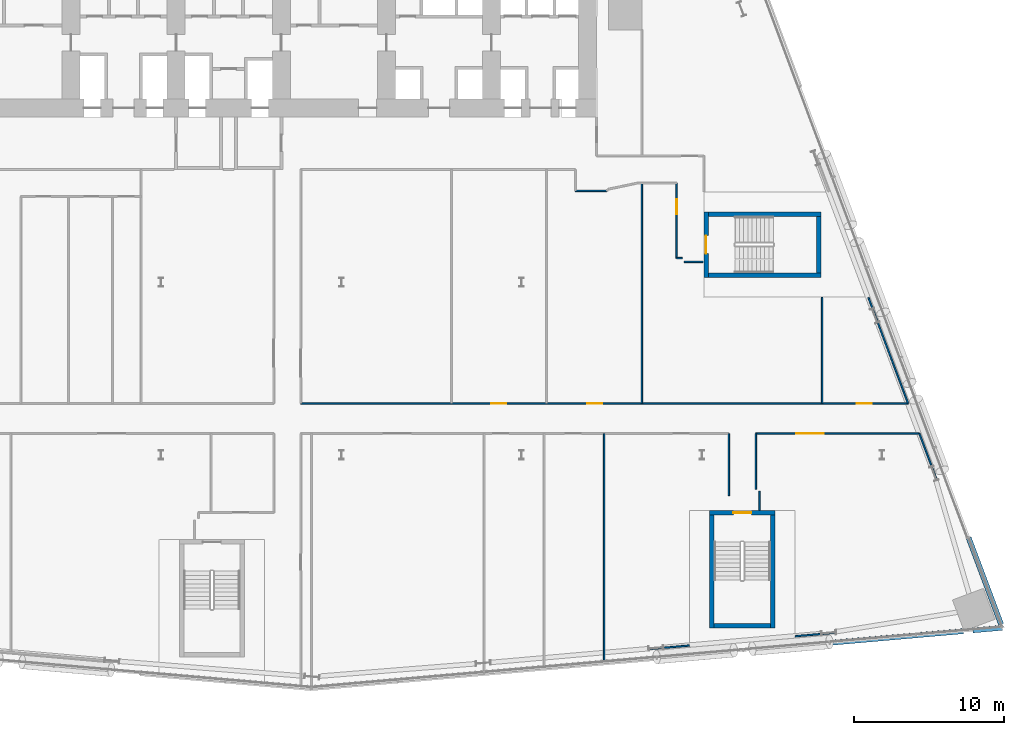
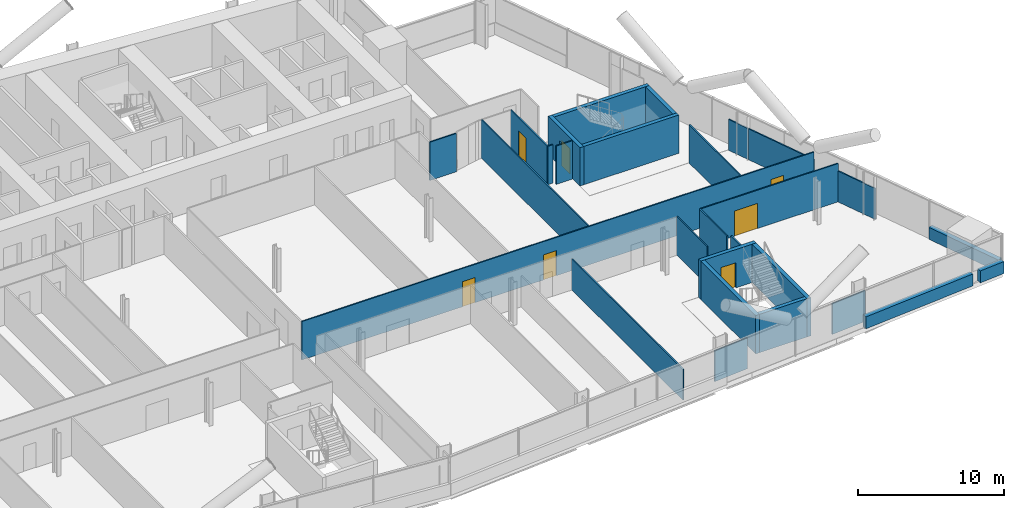
# One storey, part 18 of 27: 28 walls, 7 doors, 7 openings.
"""IFC4 building model written with IfcOpenShell, lengths in metres."""

from ifc_helpers import new_model, si_unit, direction, frame, frame_2d, origin, place, context, subcontext, project, spatial, rectangle, extrude, material, layer, layer_set, type_object, element, fill, save


model = new_model("IFC4")

# Units and contexts
model_context = context("Model", 3, precision=1e-05, world=origin(), true_north=direction((0.0, 1.0)))
body_context = subcontext(model_context, "Body", "Model", "MODEL_VIEW")
ifc_project = project(units=[si_unit("LENGTHUNIT", "METRE"), si_unit("AREAUNIT", "SQUARE_METRE"), si_unit("VOLUMEUNIT", "CUBIC_METRE"), si_unit("PLANEANGLEUNIT", "RADIAN"), si_unit("MASSUNIT", "GRAM", prefix="KILO")], contexts=[model_context])

# Site, building, storey
site_placement = place(None, origin())
site = spatial("IfcSite", under=ifc_project, at=site_placement, CompositionType="ELEMENT")
building_placement = place(site_placement, origin())
building = spatial("IfcBuilding", under=site, at=building_placement, Name="Wharfspan Tower", CompositionType="ELEMENT")
storey_placement = place(building_placement, frame((0.0, 0.0, 84.699951)))
storey = spatial("IfcBuildingStorey", under=building, at=storey_placement, Name="L18", CompositionType="ELEMENT", Elevation=84.699951)

# Wall, openings, doors
ifc_material_1 = material(Name="Gypsum board on steel studs", Category="steel")
ifc_layer_1 = layer(ifc_material_1, 0.100098)
ifc_layer_set_1 = layer_set([ifc_layer_1], Name="Gypsum board on steel studs")
wall_type_1 = type_object("IfcWallType", Name="Compartment wall 100 EI 60", PredefinedType="PARTITIONING", material=ifc_layer_set_1)
wall_1_placement = place(storey_placement, frame((45.300049, 14.929932, 0.0), z_axis=(0.0, 0.0, 1.0), x_axis=(1.0, 0.0, 0.0)))
wall_1 = element("IfcWall", 1, at=wall_1_placement, inside=storey, type_object=wall_type_1, Name="Partition L18.w034", PredefinedType="PARTITIONING", context=body_context, shape_type="SweptSolid", body=[
    extrude(rectangle(XDim=40.429932, YDim=0.100098, at=frame_2d((20.214844, 0.0))), origin(), (0.0, 0.0, 1.0), 3.199951),
])
opening_1_placement = place(wall_1_placement, frame((12.665039, 0.0, 0.0)))
opening_1 = element("IfcOpeningElement", 2, at=opening_1_placement, cuts=wall_1, Name="Opening A5-15", PredefinedType="OPENING", context=body_context, shape_type="SweptSolid", body=[
    extrude(rectangle(XDim=1.0, YDim=2.100098, at=frame_2d((0.5, 1.050049))), frame((0.0, 0.060059, 0.0), z_axis=(0.0, -1.0, 0.0), x_axis=(1.0, 0.0, 0.0)), (0.0, 0.0, 1.0), 0.120117),
])
opening_2_placement = place(wall_1_placement, frame((19.080078, 0.0, 0.0)))
opening_2 = element("IfcOpeningElement", 3, at=opening_2_placement, cuts=wall_1, Name="Opening A5-16", PredefinedType="OPENING", context=body_context, shape_type="SweptSolid", body=[
    extrude(rectangle(XDim=1.0, YDim=2.100098, at=frame_2d((0.5, 1.050049))), frame((0.0, 0.060059, 0.0), z_axis=(0.0, -1.0, 0.0), x_axis=(1.0, 0.0, 0.0)), (0.0, 0.0, 1.0), 0.120117),
])
opening_3_placement = place(wall_1_placement, frame((37.015381, 0.0, 0.0)))
opening_3 = element("IfcOpeningElement", 4, at=opening_3_placement, cuts=wall_1, Name="Opening A5-17", PredefinedType="OPENING", context=body_context, shape_type="SweptSolid", body=[
    extrude(rectangle(XDim=1.0, YDim=2.100098, at=frame_2d((0.5, 1.050049))), frame((0.0, 0.060059, 0.0), z_axis=(0.0, -1.0, 0.0), x_axis=(1.0, 0.0, 0.0)), (0.0, 0.0, 1.0), 0.120117),
])
ifc_material_2 = material(Name="Fire-rated timber door leaf in steel frame", Category="steel")
door_type_1 = type_object("IfcDoorType", Name="Door 1000 FD30S Left", OperationType="SINGLE_SWING_LEFT", PredefinedType="DOOR", material=ifc_material_2)
door_1_placement = place(opening_1_placement, origin())
door_1 = element("IfcDoor", 5, at=door_1_placement, inside=storey, type_object=door_type_1, Name="Door A5-15", OperationType="SINGLE_SWING_LEFT", OverallHeight=2.100098, OverallWidth=1.0, PredefinedType="DOOR", context=body_context, shape_type="SweptSolid", body=[
    extrude(rectangle(XDim=1.0, YDim=2.100098, at=frame_2d((0.5, 1.050049))), frame((0.0, 0.024902, 0.0), z_axis=(0.0, -1.0, 0.0), x_axis=(1.0, 0.0, 0.0)), (0.0, 0.0, 1.0), 0.050049),
])
fill(opening_1, door_1)
door_2_placement = place(opening_2_placement, origin())
door_2 = element("IfcDoor", 6, at=door_2_placement, inside=storey, type_object=door_type_1, Name="Door A5-16", OperationType="SINGLE_SWING_LEFT", OverallHeight=2.100098, OverallWidth=1.0, PredefinedType="DOOR", context=body_context, shape_type="SweptSolid", body=[
    extrude(rectangle(XDim=1.0, YDim=2.100098, at=frame_2d((0.5, 1.050049))), frame((0.0, 0.024902, 0.0), z_axis=(0.0, -1.0, 0.0), x_axis=(1.0, 0.0, 0.0)), (0.0, 0.0, 1.0), 0.050049),
])
fill(opening_2, door_2)
door_type_2 = type_object("IfcDoorType", Name="Door 1000 FD30S Right", OperationType="SINGLE_SWING_RIGHT", PredefinedType="DOOR", material=ifc_material_2)
door_3_placement = place(opening_3_placement, origin())
door_3 = element("IfcDoor", 7, at=door_3_placement, inside=storey, type_object=door_type_2, Name="Door A5-17", OperationType="SINGLE_SWING_RIGHT", OverallHeight=2.100098, OverallWidth=1.0, PredefinedType="DOOR", context=body_context, shape_type="SweptSolid", body=[
    extrude(rectangle(XDim=1.0, YDim=2.100098, at=frame_2d((0.5, 1.050049))), frame((0.0, 0.024902, 0.0), z_axis=(0.0, -1.0, 0.0), x_axis=(1.0, 0.0, 0.0)), (0.0, 0.0, 1.0), 0.050049),
])
fill(opening_3, door_3)

# Walls
wall_2_placement = place(storey_placement, frame((63.574951, 29.074951, 0.0), z_axis=(0.0, 0.0, 1.0), x_axis=(1.0, 0.0, 0.0)))
element("IfcWall", 8, at=wall_2_placement, inside=storey, type_object=wall_type_1, Name="Partition L18.w042", PredefinedType="PARTITIONING", context=body_context, shape_type="SweptSolid", body=[
    extrude(rectangle(XDim=2.080078, YDim=0.100098, at=frame_2d((1.040039, 0.0))), origin(), (0.0, 0.0, 1.0), 3.199951),
])
wall_3_placement = place(storey_placement, frame((65.5, -2.29834, 0.0), z_axis=(0.0, 0.0, 1.0), x_axis=(0.0, 1.0, 0.0)))
element("IfcWall", 9, at=wall_3_placement, inside=storey, type_object=wall_type_1, Name="Partition L18.w045", PredefinedType="PARTITIONING", context=body_context, shape_type="SweptSolid", body=[
    extrude(rectangle(XDim=15.223389, YDim=0.100098, at=frame_2d((7.611816, 0.0))), origin(), (0.0, 0.0, 1.0), 2.580078),
])
wall_4_placement = place(storey_placement, frame((68.0, 14.929932, 0.0), z_axis=(0.0, 0.0, 1.0), x_axis=(0.0, 1.0, 0.0)))
element("IfcWall", 10, at=wall_4_placement, inside=storey, type_object=wall_type_1, Name="Partition L18.w051", PredefinedType="PARTITIONING", context=body_context, shape_type="SweptSolid", body=[
    extrude(rectangle(XDim=14.670166, YDim=0.100098, at=frame_2d((7.334961, 0.0))), origin(), (0.0, 0.0, 1.0), 3.199951),
])

# Wall, opening, door
wall_5_placement = place(storey_placement, frame((70.324951, 24.600098, 0.0), z_axis=(0.0, 0.0, 1.0), x_axis=(0.0, 1.0, 0.0)))
wall_5 = element("IfcWall", 11, at=wall_5_placement, inside=storey, type_object=wall_type_1, Name="Partition L18.w054", PredefinedType="PARTITIONING", context=body_context, shape_type="SweptSolid", body=[
    extrude(rectangle(XDim=5.0, YDim=0.100098, at=frame_2d((2.5, 0.0))), origin(), (0.0, 0.0, 1.0), 3.199951),
])
opening_4_placement = place(wall_5_placement, frame((2.905029, 0.0, 0.0)))
opening_4 = element("IfcOpeningElement", 12, at=opening_4_placement, cuts=wall_5, Name="Opening A5-21", PredefinedType="OPENING", context=body_context, shape_type="SweptSolid", body=[
    extrude(rectangle(XDim=1.0, YDim=2.100098, at=frame_2d((0.5, 1.050049))), frame((0.0, 0.060059, 0.0), z_axis=(0.0, -1.0, 0.0), x_axis=(1.0, 0.0, 0.0)), (0.0, 0.0, 1.0), 0.120117),
])
door_4_placement = place(opening_4_placement, origin())
door_4 = element("IfcDoor", 13, at=door_4_placement, inside=storey, type_object=door_type_2, Name="Door A5-21", OperationType="SINGLE_SWING_RIGHT", OverallHeight=2.100098, OverallWidth=1.0, PredefinedType="DOOR", context=body_context, shape_type="SweptSolid", body=[
    extrude(rectangle(XDim=1.0, YDim=2.100098, at=frame_2d((0.5, 1.050049))), frame((0.0, 0.024902, 0.0), z_axis=(0.0, -1.0, 0.0), x_axis=(1.0, 0.0, 0.0)), (0.0, 0.0, 1.0), 0.050049),
])
fill(opening_4, door_4)

# Walls
wall_6_placement = place(storey_placement, frame((70.324951, 24.600098, 0.0), z_axis=(0.0, 0.0, 1.0), x_axis=(1.0, 0.0, 0.0)))
element("IfcWall", 14, at=wall_6_placement, inside=storey, type_object=wall_type_1, Name="Partition L18.w055", PredefinedType="PARTITIONING", context=body_context, shape_type="SweptSolid", body=[
    extrude(rectangle(XDim=0.380127, YDim=0.100098, at=frame_2d((0.189941, 0.0))), origin(), (0.0, 0.0, 1.0), 3.199951),
])
wall_7_placement = place(storey_placement, frame((70.824951, 24.350098, 0.0), z_axis=(0.0, 0.0, 1.0), x_axis=(1.0, 0.0, 0.0)))
element("IfcWall", 15, at=wall_7_placement, inside=storey, type_object=wall_type_1, Name="Partition L18.w056", PredefinedType="PARTITIONING", context=body_context, shape_type="SweptSolid", body=[
    extrude(rectangle(XDim=1.280029, YDim=0.100098, at=frame_2d((0.640137, 0.0))), origin(), (0.0, 0.0, 1.0), 3.199951),
])
wall_8_placement = place(storey_placement, frame((73.790039, 8.791992, 0.0), z_axis=(0.0, 0.0, 1.0), x_axis=(0.0, 1.0, 0.0)))
element("IfcWall", 16, at=wall_8_placement, inside=storey, type_object=wall_type_1, Name="Partition L18.w058", PredefinedType="PARTITIONING", context=body_context, shape_type="SweptSolid", body=[
    extrude(rectangle(XDim=4.133057, YDim=0.100098, at=frame_2d((2.066406, 0.0))), origin(), (0.0, 0.0, 1.0), 3.199951),
])
wall_9_placement = place(storey_placement, frame((75.594971, 9.209961, 0.0), z_axis=(0.0, 0.0, 1.0), x_axis=(0.0, 1.0, 0.0)))
element("IfcWall", 17, at=wall_9_placement, inside=storey, type_object=wall_type_1, Name="Partition L18.w059", PredefinedType="PARTITIONING", context=body_context, shape_type="SweptSolid", body=[
    extrude(rectangle(XDim=3.715088, YDim=0.100098, at=frame_2d((1.857422, 0.0))), origin(), (0.0, 0.0, 1.0), 3.199951),
])

# Wall, opening, door
wall_10_placement = place(storey_placement, frame((75.594971, 12.925049, 0.0), z_axis=(0.0, 0.0, 1.0), x_axis=(1.0, 0.0, 0.0)))
wall_10 = element("IfcWall", 18, at=wall_10_placement, inside=storey, type_object=wall_type_1, Name="Partition L18.w060", PredefinedType="PARTITIONING", context=body_context, shape_type="SweptSolid", body=[
    extrude(rectangle(XDim=10.88501, YDim=0.100098, at=frame_2d((5.442383, 0.0))), origin(), (0.0, 0.0, 1.0), 3.199951),
])
opening_5_placement = place(wall_10_placement, frame((2.702393, 0.0, 0.0)))
opening_5 = element("IfcOpeningElement", 19, at=opening_5_placement, cuts=wall_10, Name="Opening A5-11", PredefinedType="OPENING", context=body_context, shape_type="SweptSolid", body=[
    extrude(rectangle(XDim=1.800049, YDim=2.100098, at=frame_2d((0.899902, 1.050049))), frame((0.0, 0.060059, 0.0), z_axis=(0.0, -1.0, 0.0), x_axis=(1.0, 0.0, 0.0)), (0.0, 0.0, 1.0), 0.120117),
])
door_type_3 = type_object("IfcDoorType", Name="Door 1800 FD30S Double", OperationType="DOUBLE_DOOR_SINGLE_SWING", PredefinedType="DOOR", material=ifc_material_2)
door_5_placement = place(opening_5_placement, origin())
door_5 = element("IfcDoor", 20, at=door_5_placement, inside=storey, type_object=door_type_3, Name="Door A5-11", OperationType="DOUBLE_DOOR_SINGLE_SWING", OverallHeight=2.100098, OverallWidth=1.800049, PredefinedType="DOOR", context=body_context, shape_type="SweptSolid", body=[
    extrude(rectangle(XDim=1.800049, YDim=2.100098, at=frame_2d((0.899902, 1.050049))), frame((0.0, 0.024902, 0.0), z_axis=(0.0, -1.0, 0.0), x_axis=(1.0, 0.0, 0.0)), (0.0, 0.0, 1.0), 0.050049),
])
fill(opening_5, door_5)

# Walls
wall_11_placement = place(storey_placement, frame((75.844971, 7.812012, 0.0), z_axis=(0.0, 0.0, 1.0), x_axis=(0.0, 1.0, 0.0)))
element("IfcWall", 21, at=wall_11_placement, inside=storey, type_object=wall_type_1, Name="Partition L18.w061", PredefinedType="PARTITIONING", context=body_context, shape_type="SweptSolid", body=[
    extrude(rectangle(XDim=1.278076, YDim=0.100098, at=frame_2d((0.63916, 0.0))), origin(), (0.0, 0.0, 1.0), 3.199951),
])
wall_12_placement = place(storey_placement, frame((80.0, 14.929932, 0.0), z_axis=(0.0, 0.0, 1.0), x_axis=(0.0, 1.0, 0.0)))
element("IfcWall", 22, at=wall_12_placement, inside=storey, type_object=wall_type_1, Name="Partition L18.w063", PredefinedType="PARTITIONING", context=body_context, shape_type="SweptSolid", body=[
    extrude(rectangle(XDim=7.050049, YDim=0.100098, at=frame_2d((3.524902, 0.0))), origin(), (0.0, 0.0, 1.0), 3.199951),
])
wall_13_placement = place(storey_placement, frame((85.72998, 14.929932, 0.0), z_axis=(0.0, 0.0, 1.0), x_axis=(-0.351501, 0.936189, 0.0)))
element("IfcWall", 23, at=wall_13_placement, inside=storey, type_object=wall_type_1, Name="Partition L18.w066", PredefinedType="PARTITIONING", context=body_context, shape_type="SweptSolid", body=[
    extrude(rectangle(XDim=5.746826, YDim=0.100098, at=frame_2d((2.873535, 0.0))), origin(), (0.0, 0.0, 1.0), 2.580078),
])
wall_14_placement = place(storey_placement, frame((87.649902, 9.810059, 0.0), z_axis=(0.0, 0.0, 1.0), x_axis=(-0.351597, 0.936149, 0.0)))
element("IfcWall", 24, at=wall_14_placement, inside=storey, type_object=wall_type_1, Name="Partition L18.w067", PredefinedType="PARTITIONING", context=body_context, shape_type="SweptSolid", body=[
    extrude(rectangle(XDim=3.327393, YDim=0.100098, at=frame_2d((1.663574, 0.0))), origin(), (0.0, 0.0, 1.0), 2.580078),
])
ifc_layer_2 = layer(ifc_material_1, 0.100098)
ifc_layer_set_2 = layer_set([ifc_layer_2], Name="Gypsum board on steel studs")
wall_type_2 = type_object("IfcWallType", Name="Partition 100", PredefinedType="PARTITIONING", material=ifc_layer_set_2)
wall_15_placement = place(storey_placement, frame((68.445068, -1.429932, 0.0), z_axis=(0.0, 0.0, 1.0), x_axis=(0.996195, 0.087118, 0.0)))
element("IfcWall", 25, at=wall_15_placement, inside=storey, type_object=wall_type_2, Name="Partition L18.w053", PredefinedType="PARTITIONING", context=body_context, shape_type="SweptSolid", body=[
    extrude(rectangle(XDim=2.738037, YDim=0.100098, at=frame_2d((1.369141, 0.0))), origin(), (0.0, 0.0, 1.0), 2.580078),
])
wall_16_placement = place(storey_placement, frame((78.212402, -0.572998, 0.0), z_axis=(0.0, 0.0, 1.0), x_axis=(0.996224, 0.086779, 0.0)))
element("IfcWall", 26, at=wall_16_placement, inside=storey, type_object=wall_type_2, Name="Partition L18.w062", PredefinedType="PARTITIONING", context=body_context, shape_type="SweptSolid", body=[
    extrude(rectangle(XDim=2.74292, YDim=0.100098, at=frame_2d((1.371582, 0.0))), origin(), (0.0, 0.0, 1.0), 2.580078),
])
wall_17_placement = place(storey_placement, frame((83.709961, 20.310059, 0.0), z_axis=(0.0, 0.0, 1.0), x_axis=(-0.349322, 0.937005, 0.0)))
element("IfcWall", 27, at=wall_17_placement, inside=storey, type_object=wall_type_2, Name="Partition L18.w065", PredefinedType="PARTITIONING", context=body_context, shape_type="SweptSolid", body=[
    extrude(rectangle(XDim=1.782227, YDim=0.100098, at=frame_2d((0.891113, 0.0))), origin(), (0.0, 0.0, 1.0), 2.580078),
])
ifc_material_3 = material(Name="Concrete C40/50", Category="concrete")
ifc_layer_3 = layer(ifc_material_3, 0.350098)
ifc_layer_set_3 = layer_set([ifc_layer_3], Name="Concrete C40/50")
wall_type_3 = type_object("IfcWallType", Name="SPANDREL EXPOSED CONCRETE 350", PredefinedType="SOLIDWALL", material=ifc_layer_set_3)
wall_18_placement = place(storey_placement, frame((80.530273, -1.008545, 0.0), z_axis=(0.0, 0.0, 1.0), x_axis=(0.996198, 0.087169, 0.0)))
element("IfcWall", 28, at=wall_18_placement, inside=storey, type_object=wall_type_3, Name="Spandrel upstand L18 S2 2", PredefinedType="SOLIDWALL", context=body_context, shape_type="SweptSolid", body=[
    extrude(rectangle(XDim=8.912109, YDim=0.350098, at=frame_2d((4.456055, 0.0))), origin(), (0.0, 0.0, 1.0), 1.0),
])
wall_19_placement = place(storey_placement, frame((90.039062, -0.176514, 0.0), z_axis=(0.0, 0.0, 1.0), x_axis=(0.996193, 0.08717, 0.0)))
element("IfcWall", 29, at=wall_19_placement, inside=storey, type_object=wall_type_3, Name="Spandrel upstand L18 S2 3", PredefinedType="SOLIDWALL", context=body_context, shape_type="SweptSolid", body=[
    extrude(rectangle(XDim=1.968994, YDim=0.350098, at=frame_2d((0.984375, 0.0))), origin(), (0.0, 0.0, 1.0), 1.0),
])
wall_20_placement = place(storey_placement, frame((91.926025, 0.211182, 0.0), z_axis=(0.0, 0.0, 1.0), x_axis=(-0.351118, 0.936328, 0.0)))
element("IfcWall", 30, at=wall_20_placement, inside=storey, type_object=wall_type_3, Name="Spandrel upstand L18 E 1", PredefinedType="SOLIDWALL", context=body_context, shape_type="SweptSolid", body=[
    extrude(rectangle(XDim=6.154297, YDim=0.350098, at=frame_2d((3.077148, 0.0))), origin(), (0.0, 0.0, 1.0), 1.0),
])

# Wall, opening, door
ifc_layer_4 = layer(ifc_material_3, 0.300049)
ifc_layer_set_4 = layer_set([ifc_layer_4], Name="Concrete C40/50")
wall_type_4 = type_object("IfcWallType", Name="Stair core wall 300", PredefinedType="SHEAR", material=ifc_layer_set_4)
wall_21_placement = place(storey_placement, frame((72.517578, 7.64209, 0.0), z_axis=(0.0, 0.0, 1.0), x_axis=(1.0, 0.0, 0.0)))
wall_21 = element("IfcWall", 31, at=wall_21_placement, inside=storey, type_object=wall_type_4, Name="ST5 stair enclosure wall L18", PredefinedType="SHEAR", context=body_context, shape_type="SweptSolid", body=[
    extrude(rectangle(XDim=4.349854, YDim=0.300049, at=frame_2d((2.174805, 0.0))), origin(), (0.0, 0.0, 1.0), 3.199951),
])
opening_6_placement = place(wall_21_placement, frame((1.574951, 0.0, 0.0)))
opening_6 = element("IfcOpeningElement", 32, at=opening_6_placement, cuts=wall_21, Name="Opening SD5.L18", PredefinedType="OPENING", context=body_context, shape_type="SweptSolid", body=[
    extrude(rectangle(XDim=1.199951, YDim=2.100098, at=frame_2d((0.600098, 1.050049))), frame((0.0, 0.159912, 0.0), z_axis=(0.0, -1.0, 0.0), x_axis=(1.0, 0.0, 0.0)), (0.0, 0.0, 1.0), 0.320068),
])
ifc_material_4 = material(Name="Steel door leaf", Category="steel")
door_type_4 = type_object("IfcDoorType", Name="Stair door 1200x2100", OperationType="SINGLE_SWING_LEFT", PredefinedType="DOOR", material=ifc_material_4)
door_6_placement = place(opening_6_placement, origin())
door_6 = element("IfcDoor", 33, at=door_6_placement, inside=storey, type_object=door_type_4, Name="sd:L18:ST5z1", OperationType="SINGLE_SWING_RIGHT", OverallHeight=2.100098, OverallWidth=1.199951, PredefinedType="DOOR", context=body_context, shape_type="SweptSolid", body=[
    extrude(rectangle(XDim=1.199951, YDim=2.100098, at=frame_2d((0.600098, 1.050049))), frame((0.0, 0.024902, 0.0), z_axis=(0.0, -1.0, 0.0), x_axis=(1.0, 0.0, 0.0)), (0.0, 0.0, 1.0), 0.050049),
])
fill(opening_6, door_6)

wall_22_placement = place(storey_placement, frame((72.274902, 23.324951, 0.0), z_axis=(0.0, 0.0, 1.0), x_axis=(0.0, 1.0, 0.0)))
wall_22 = element("IfcWall", 34, at=wall_22_placement, inside=storey, type_object=wall_type_4, Name="ST6 stair enclosure wall L18", PredefinedType="SHEAR", context=body_context, shape_type="SweptSolid", body=[
    extrude(rectangle(XDim=4.350098, YDim=0.300049, at=frame_2d((2.175049, 0.0))), origin(), (0.0, 0.0, 1.0), 3.199951),
])
opening_7_placement = place(wall_22_placement, frame((1.574951, 0.0, 0.0)))
opening_7 = element("IfcOpeningElement", 35, at=opening_7_placement, cuts=wall_22, Name="Opening SD6.L18", PredefinedType="OPENING", context=body_context, shape_type="SweptSolid", body=[
    extrude(rectangle(XDim=1.199951, YDim=2.100098, at=frame_2d((0.600098, 1.050049))), frame((0.0, 0.159912, 0.0), z_axis=(0.0, -1.0, 0.0), x_axis=(1.0, 0.0, 0.0)), (0.0, 0.0, 1.0), 0.320068),
])
door_7_placement = place(opening_7_placement, origin())
door_7 = element("IfcDoor", 36, at=door_7_placement, inside=storey, type_object=door_type_4, Name="sd:L18:ST6z1", OperationType="SINGLE_SWING_RIGHT", OverallHeight=2.100098, OverallWidth=1.199951, PredefinedType="DOOR", context=body_context, shape_type="SweptSolid", body=[
    extrude(rectangle(XDim=1.199951, YDim=2.100098, at=frame_2d((0.600098, 1.050049))), frame((0.0, 0.024902, 0.0), z_axis=(0.0, -1.0, 0.0), x_axis=(1.0, 0.0, 0.0)), (0.0, 0.0, 1.0), 0.050049),
])
fill(opening_7, door_7)

# Walls
for number, where, z_axis, x_axis, name in (
    (37, (72.66748, -0.008057, 0.0), (0.0, 0.0, 1.0), (0.0, 1.0, 0.0), "ST5 stair enclosure wall L18"),
    (38, (76.717529, -0.008057, 0.0), (0.0, 0.0, 1.0), (0.0, 1.0, 0.0), "ST5 stair enclosure wall L18"),
):
    element("IfcWall", number, at=place(storey_placement, frame(where, z_axis=z_axis, x_axis=x_axis)), inside=storey, type_object=wall_type_4, Name=name, PredefinedType="SHEAR", context=body_context, shape_type="SweptSolid", body=[
        extrude(rectangle(XDim=7.5, YDim=0.300049, at=frame_2d((3.75, 0.0))), origin(), (0.0, 0.0, 1.0), 3.199951),
    ])
wall_23_placement = place(storey_placement, frame((72.817383, 0.14209, 0.0), z_axis=(0.0, 0.0, 1.0), x_axis=(1.0, 0.0, 0.0)))
element("IfcWall", 39, at=wall_23_placement, inside=storey, type_object=wall_type_4, Name="ST5 stair enclosure wall L18", PredefinedType="SHEAR", context=body_context, shape_type="SweptSolid", body=[
    extrude(rectangle(XDim=3.75, YDim=0.300049, at=frame_2d((1.875, 0.0))), origin(), (0.0, 0.0, 1.0), 3.199951),
])
for number, where, z_axis, x_axis, name in (
    (40, (72.425049, 23.475098, 0.0), (0.0, 0.0, 1.0), (1.0, 0.0, 0.0), "ST6 stair enclosure wall L18"),
    (41, (72.425049, 27.524902, 0.0), (0.0, 0.0, 1.0), (1.0, 0.0, 0.0), "ST6 stair enclosure wall L18"),
):
    element("IfcWall", number, at=place(storey_placement, frame(where, z_axis=z_axis, x_axis=x_axis)), inside=storey, type_object=wall_type_4, Name=name, PredefinedType="SHEAR", context=body_context, shape_type="SweptSolid", body=[
        extrude(rectangle(XDim=7.5, YDim=0.300049, at=frame_2d((3.75, 0.0))), origin(), (0.0, 0.0, 1.0), 3.199951),
    ])
wall_24_placement = place(storey_placement, frame((79.774902, 23.625, 0.0), z_axis=(0.0, 0.0, 1.0), x_axis=(0.0, 1.0, 0.0)))
element("IfcWall", 42, at=wall_24_placement, inside=storey, type_object=wall_type_4, Name="ST6 stair enclosure wall L18", PredefinedType="SHEAR", context=body_context, shape_type="SweptSolid", body=[
    extrude(rectangle(XDim=3.75, YDim=0.300049, at=frame_2d((1.875, 0.0))), origin(), (0.0, 0.0, 1.0), 3.199951),
])

save(model, "model.ifc")
